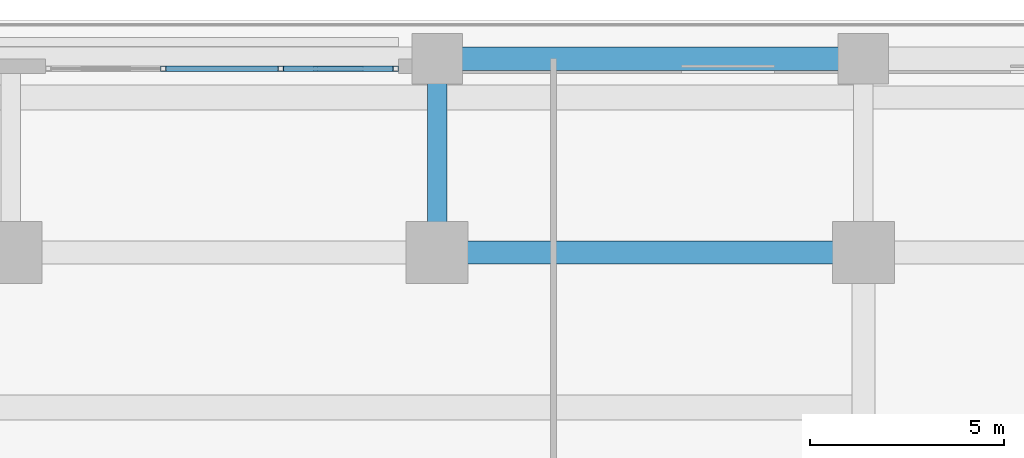
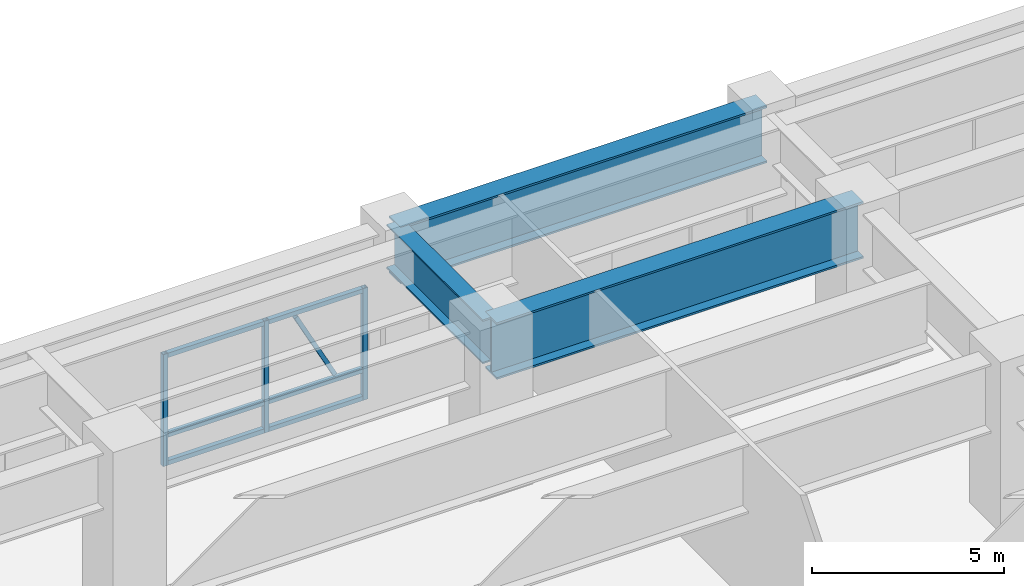
# One storey, part 13 of 28: 10 members, 3 beams, 1 element without a shape of its own.
"""IFC4 building model written with IfcOpenShell, lengths in metres."""

from ifc_helpers import new_model, si_unit, direction, frame, origin, origin_2d, place, context, subcontext, project, spatial, hollow_rectangle, i_section, extrude, source, transform, mapped, material, material_profile, profile_set, type_object, element, aggregate, save


model = new_model("IFC4")

# Units and contexts
model_context = context("Model", 3, precision=1e-05, world=origin(), true_north=direction((0.0, 1.0)))
body_context = subcontext(model_context, "Body", "Model", "MODEL_VIEW")
ifc_project = project(units=[si_unit("LENGTHUNIT", "METRE"), si_unit("AREAUNIT", "SQUARE_METRE"), si_unit("VOLUMEUNIT", "CUBIC_METRE"), si_unit("PLANEANGLEUNIT", "RADIAN"), si_unit("MASSUNIT", "GRAM", prefix="KILO")], contexts=[model_context])

# Site, building, storey
site_placement = place(None, origin())
site = spatial("IfcSite", under=ifc_project, at=site_placement, CompositionType="ELEMENT")
building_placement = place(site_placement, origin())
building = spatial("IfcBuilding", under=site, at=building_placement, Name="Khorayat Bourse Tower", CompositionType="ELEMENT")
storey_placement = place(building_placement, frame((0.0, 0.0, 6.60009765625)))
storey = spatial("IfcBuildingStorey", under=building, at=storey_placement, Name="L01", CompositionType="ELEMENT", Elevation=6.60009765625)

# Beams
ifc_material_1 = material(Name="Steel EN 10025-4 S460M", Category="steel")
ifc_material_profile_1 = material_profile(ifc_material_1, i_section(OverallWidth=0.60009765625, OverallDepth=1.800048828125, WebThickness=0.031982421875, FlangeThickness=0.06005859375, at=origin_2d()), Name="PG 1800x600x32x60")
ifc_profile_set_1 = profile_set([ifc_material_profile_1], Name="Steel EN 10025-4 S460M")
beam_type_1 = type_object("IfcBeamType", Name="BM-TR-1800", PredefinedType="BEAM", material=ifc_profile_set_1)
shared_shape_1 = source(origin(), body_context, "Body", "SweptSolid", [
    extrude(i_section(OverallWidth=0.60009765625, OverallDepth=1.800048828125, WebThickness=0.031982421875, FlangeThickness=0.06005859375, at=origin_2d()), origin(), (0.0, 0.0, 1.0), 11.0),
])
for number, where, z_axis, x_axis, name in (
    (1, (11.0, 32.0, 4.179931640625), (1.0, 0.0, 0.0), (0.0, 1.0, 0.0), "L01 BM-TR-1800 BM-L01-PGX-083"),
    (2, (11.0, 37.0, 4.179931640625), (1.0, 0.0, 0.0), (0.0, 1.0, 0.0), "L01 BM-TR-1800 BM-L01-PGX-095"),
):
    element("IfcBeam", number, at=place(storey_placement, frame(where, z_axis=z_axis, x_axis=x_axis)), inside=storey, type_object=beam_type_1, Name=name, PredefinedType="BEAM", context=body_context, shape_type="MappedRepresentation", body=[
        mapped(shared_shape_1, transform((0.0, 0.0, 0.0), scale=1.0)),
    ])
ifc_material_profile_2 = material_profile(ifc_material_1, i_section(OverallWidth=0.5, OverallDepth=1.39990234375, WebThickness=0.02490234375, FlangeThickness=0.050048828125, at=origin_2d()), Name="PG 1400x500x25x50")
ifc_profile_set_2 = profile_set([ifc_material_profile_2], Name="Steel EN 10025-4 S460M")
beam_type_2 = type_object("IfcBeamType", Name="BM-TR-1400", PredefinedType="BEAM", material=ifc_profile_set_2)
shared_shape_2 = source(origin(), body_context, "Body", "SweptSolid", [
    extrude(i_section(OverallWidth=0.5, OverallDepth=1.39990234375, WebThickness=0.02490234375, FlangeThickness=0.050048828125, at=origin_2d()), origin(), (0.0, 0.0, 1.0), 5.0),
])
beam_placement = place(storey_placement, frame((11.0, 32.0, 4.3798828125), z_axis=(0.0, 1.0, 0.0), x_axis=(-1.0, 0.0, 0.0)))
element("IfcBeam", 3, at=beam_placement, inside=storey, type_object=beam_type_2, Name="L01 BM-TR-1400 BM-L01-PGY-136", PredefinedType="BEAM", context=body_context, shape_type="MappedRepresentation", body=[
    mapped(shared_shape_2, transform((0.0, 0.0, 0.0), scale=1.0)),
])

# Curtain wall, members
ifc_material_2 = material(Name="Aluminium EN AW-6063 T6", Category="aluminium")
curtain_wall_type = type_object("IfcCurtainWallType", Name="CW-SYS-01", PredefinedType="NOTDEFINED", material=ifc_material_2)
curtain_wall_placement = place(storey_placement, origin())
curtain_wall = element("IfcCurtainWall", 4, at=curtain_wall_placement, inside=storey, type_object=curtain_wall_type, Name="L01 Curtain Wall CW-L01-NE", PredefinedType="NOTDEFINED")
ifc_material_profile_3 = material_profile(ifc_material_2, hollow_rectangle(XDim=0.139892578125, YDim=0.139892578125, WallThickness=0.006103515625, at=origin_2d()), Name="ALU 140x140x6")
ifc_profile_set_3 = profile_set([ifc_material_profile_3], Name="Aluminium EN AW-6063 T6")
member_type_1 = type_object("IfcMemberType", Name="CWM-VERT-140", PredefinedType="MULLION", material=ifc_profile_set_3)
shared_shape_3 = source(origin(), body_context, "Body", "SweptSolid", [
    extrude(hollow_rectangle(XDim=0.139892578125, YDim=0.139892578125, WallThickness=0.006103515625, at=origin_2d()), origin(), (0.0, 0.0, 1.0), 3.5498046875),
])
member_1_placement = place(storey_placement, frame((9.929931640625, 36.742919921875, 0.0), z_axis=(0.0, 0.0, 1.0), x_axis=(0.0, -1.0, 0.0)))
member_1 = element("IfcMember", 5, at=member_1_placement, type_object=member_type_1, Name="CW-L01-NE Vertical Mullion 1", PredefinedType="MULLION", context=body_context, shape_type="MappedRepresentation", body=[
    mapped(shared_shape_3, transform((0.0, 0.0, 0.0), scale=1.0)),
])
member_2_placement = place(storey_placement, frame((6.966552734375, 36.742919921875, 0.0), z_axis=(0.0, 0.0, 1.0), x_axis=(0.0, -1.0, 0.0)))
member_2 = element("IfcMember", 6, at=member_2_placement, type_object=member_type_1, Name="CW-L01-NE Vertical Mullion 2", PredefinedType="MULLION", context=body_context, shape_type="MappedRepresentation", body=[
    mapped(shared_shape_3, transform((0.0, 0.0, 0.0), scale=1.0)),
])
member_3_placement = place(storey_placement, frame((3.933349609375, 36.742919921875, 0.0), z_axis=(0.0, 0.0, 1.0), x_axis=(0.0, -1.0, 0.0)))
member_3 = element("IfcMember", 7, at=member_3_placement, type_object=member_type_1, Name="CW-L01-NE Vertical Mullion 3", PredefinedType="MULLION", context=body_context, shape_type="MappedRepresentation", body=[
    mapped(shared_shape_3, transform((0.0, 0.0, 0.0), scale=1.0)),
])
ifc_material_profile_4 = material_profile(ifc_material_2, hollow_rectangle(XDim=0.139892578125, YDim=0.139892578125, WallThickness=0.006103515625, at=origin_2d()), Name="ALU 140x140x6")
ifc_profile_set_4 = profile_set([ifc_material_profile_4], Name="Aluminium EN AW-6063 T6")
member_type_2 = type_object("IfcMemberType", Name="CWT-HORZ-140", PredefinedType="USERDEFINED", material=ifc_profile_set_4)
shared_shape_4 = source(origin(), body_context, "Body", "SweptSolid", [
    extrude(hollow_rectangle(XDim=0.139892578125, YDim=0.139892578125, WallThickness=0.006103515625, at=origin_2d()), origin(), (0.0, 0.0, 1.0), 2.823486328125),
])
member_4_placement = place(storey_placement, frame((9.860107421875, 36.742919921875, 0.06982421875), z_axis=(-1.0, 0.0, 0.0), x_axis=(0.0, -1.0, 0.0)))
member_4 = element("IfcMember", 8, at=member_4_placement, type_object=member_type_2, Name="CW-L01-NE Horizontal Transom 1-1", ObjectType="TRANSOM", PredefinedType="USERDEFINED", context=body_context, shape_type="MappedRepresentation", body=[
    mapped(shared_shape_4, transform((0.0, 0.0, 0.0), scale=1.0)),
])
member_5_placement = place(storey_placement, frame((9.860107421875, 36.742919921875, 0.949951171875), z_axis=(-1.0, 0.0, 0.0), x_axis=(0.0, -1.0, 0.0)))
member_5 = element("IfcMember", 9, at=member_5_placement, type_object=member_type_2, Name="CW-L01-NE Horizontal Transom 1-2", ObjectType="TRANSOM", PredefinedType="USERDEFINED", context=body_context, shape_type="MappedRepresentation", body=[
    mapped(shared_shape_4, transform((0.0, 0.0, 0.0), scale=1.0)),
])
member_6_placement = place(storey_placement, frame((9.860107421875, 36.742919921875, 3.47998046875), z_axis=(-1.0, 0.0, 0.0), x_axis=(0.0, -1.0, 0.0)))
member_6 = element("IfcMember", 10, at=member_6_placement, type_object=member_type_2, Name="CW-L01-NE Horizontal Transom 1-3", ObjectType="TRANSOM", PredefinedType="USERDEFINED", context=body_context, shape_type="MappedRepresentation", body=[
    mapped(shared_shape_4, transform((0.0, 0.0, 0.0), scale=1.0)),
])
ifc_material_profile_5 = material_profile(ifc_material_2, hollow_rectangle(XDim=0.1201171875, YDim=0.1201171875, WallThickness=0.0048828125, at=origin_2d()), Name="ALU 120x120x5")
ifc_profile_set_5 = profile_set([ifc_material_profile_5], Name="Aluminium EN AW-6063 T6")
member_type_3 = type_object("IfcMemberType", Name="CWM-DIAG-120", PredefinedType="MULLION", material=ifc_profile_set_5)
shared_shape_5 = source(origin(), body_context, "Body", "SweptSolid", [
    extrude(hollow_rectangle(XDim=0.1201171875, YDim=0.1201171875, WallThickness=0.0048828125, at=origin_2d()), origin(), (0.0, 0.0, 1.0), 2.52001953125),
])
member_7_placement = place(storey_placement, frame((9.03515625, 36.742919921875, 1.099853515625), z_axis=(-0.465718481425, 0.0, 0.884932933085), x_axis=(0.0, -1.0, 0.0)))
member_7 = element("IfcMember", 11, at=member_7_placement, type_object=member_type_3, Name="CW-L01-NE Faceted Diagonal Mullion 1", PredefinedType="MULLION", context=body_context, shape_type="MappedRepresentation", body=[
    mapped(shared_shape_5, transform((0.0, 0.0, 0.0), scale=1.0)),
])
shared_shape_6 = source(origin(), body_context, "Body", "SweptSolid", [
    extrude(hollow_rectangle(XDim=0.139892578125, YDim=0.139892578125, WallThickness=0.006103515625, at=origin_2d()), origin(), (0.0, 0.0, 1.0), 2.893310546875),
])
member_8_placement = place(storey_placement, frame((6.896728515625, 36.742919921875, 0.06982421875), z_axis=(-1.0, 0.0, 0.0), x_axis=(0.0, -1.0, 0.0)))
member_8 = element("IfcMember", 12, at=member_8_placement, type_object=member_type_2, Name="CW-L01-NE Horizontal Transom 2-1", ObjectType="TRANSOM", PredefinedType="USERDEFINED", context=body_context, shape_type="MappedRepresentation", body=[
    mapped(shared_shape_6, transform((0.0, 0.0, 0.0), scale=1.0)),
])
member_9_placement = place(storey_placement, frame((6.896728515625, 36.742919921875, 0.949951171875), z_axis=(-1.0, 0.0, 0.0), x_axis=(0.0, -1.0, 0.0)))
member_9 = element("IfcMember", 13, at=member_9_placement, type_object=member_type_2, Name="CW-L01-NE Horizontal Transom 2-2", ObjectType="TRANSOM", PredefinedType="USERDEFINED", context=body_context, shape_type="MappedRepresentation", body=[
    mapped(shared_shape_6, transform((0.0, 0.0, 0.0), scale=1.0)),
])
member_10_placement = place(storey_placement, frame((6.896728515625, 36.742919921875, 3.47998046875), z_axis=(-1.0, 0.0, 0.0), x_axis=(0.0, -1.0, 0.0)))
member_10 = element("IfcMember", 14, at=member_10_placement, type_object=member_type_2, Name="CW-L01-NE Horizontal Transom 2-3", ObjectType="TRANSOM", PredefinedType="USERDEFINED", context=body_context, shape_type="MappedRepresentation", body=[
    mapped(shared_shape_6, transform((0.0, 0.0, 0.0), scale=1.0)),
])
aggregate(curtain_wall, [member_1, member_2, member_3, member_4, member_5, member_6, member_7, member_8, member_9, member_10])

save(model, "model.ifc")
